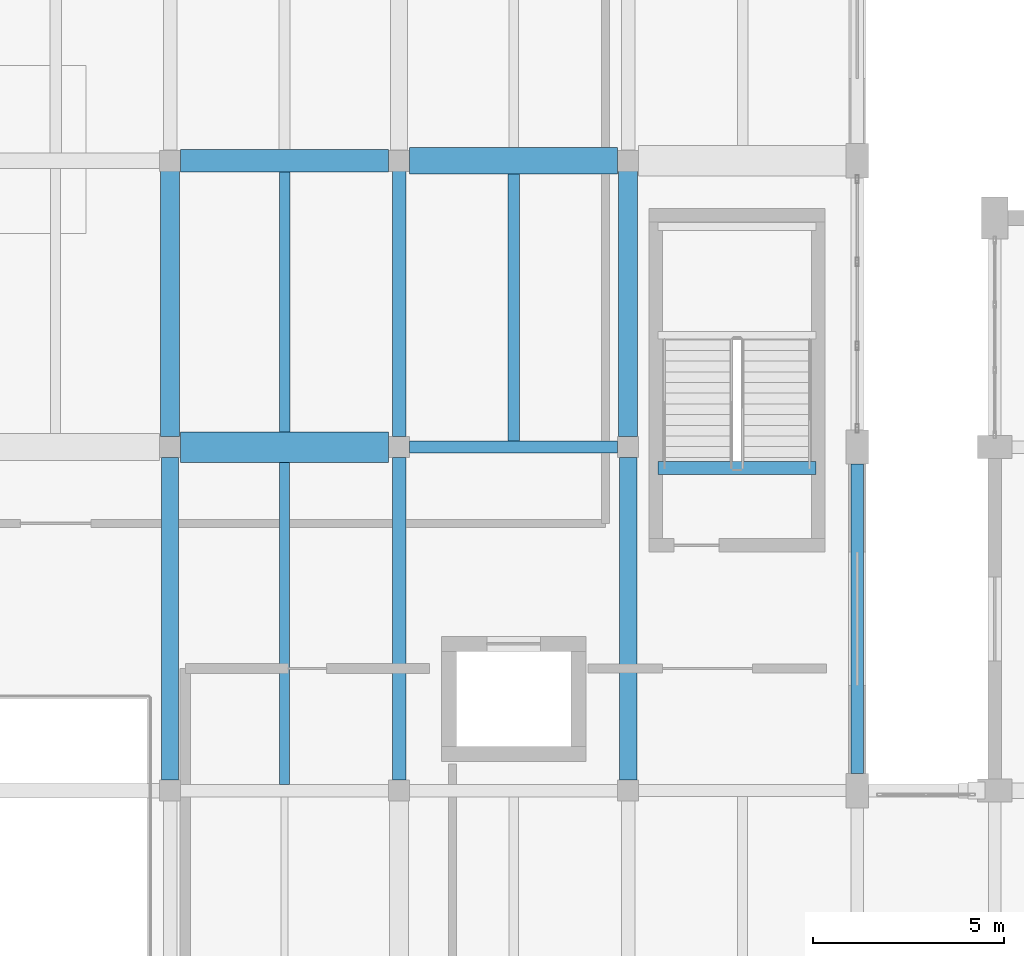
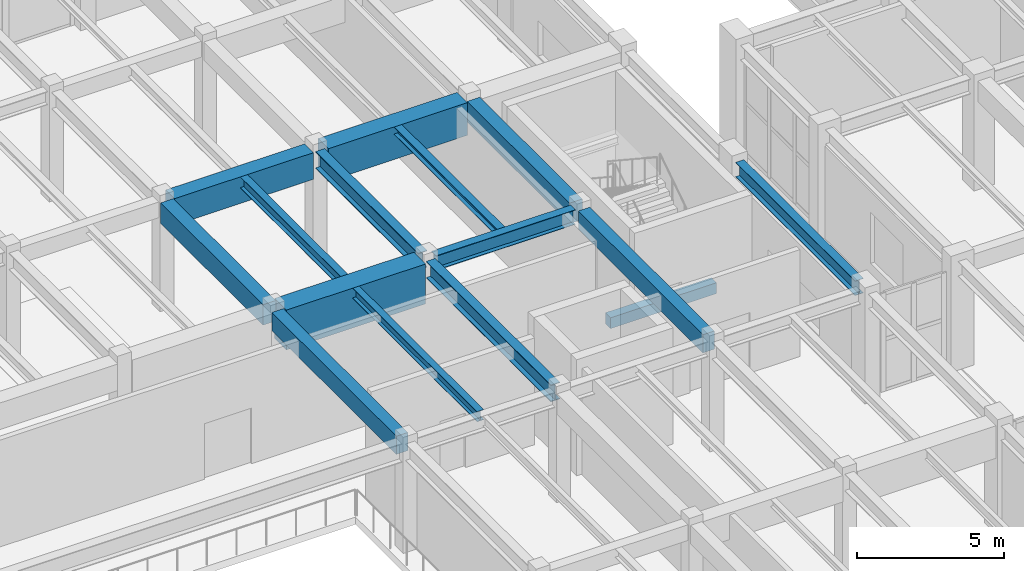
# One storey, part 40 of 96: 15 beams.
"""IFC4 building model written with IfcOpenShell, lengths in metres."""

from ifc_helpers import new_model, si_unit, direction, frame, origin, origin_2d, place, context, subcontext, project, spatial, rectangle, i_section, extrude, material, material_profile, profile_set, type_object, element, save


model = new_model("IFC4")

# Units and contexts
model_context = context("Model", 3, precision=1e-05, world=origin(), true_north=direction((0.0, 1.0)))
body_context = subcontext(model_context, "Body", "Model", "MODEL_VIEW")
ifc_project = project(units=[si_unit("LENGTHUNIT", "METRE"), si_unit("AREAUNIT", "SQUARE_METRE"), si_unit("VOLUMEUNIT", "CUBIC_METRE"), si_unit("PLANEANGLEUNIT", "RADIAN"), si_unit("MASSUNIT", "GRAM", prefix="KILO")], contexts=[model_context])

# Site, building, storey
site_placement = place(None, origin())
site = spatial("IfcSite", under=ifc_project, at=site_placement, CompositionType="ELEMENT")
building_placement = place(site_placement, origin())
building = spatial("IfcBuilding", under=site, at=building_placement, Name="Vaelkrest Opera House", CompositionType="ELEMENT")
storey_placement = place(building_placement, frame((0.0, 0.0, 5.39990234375)))
storey = spatial("IfcBuildingStorey", under=building, at=storey_placement, Name="L01", CompositionType="ELEMENT", Elevation=5.39990234375)

# Beams
ifc_material_1 = material(Name="Concrete C50/60", Category="concrete")
ifc_material_profile_1 = material_profile(ifc_material_1, rectangle(XDim=0.449951171875, YDim=0.75, at=origin_2d()), Name="RCB450X750")
ifc_profile_set_1 = profile_set([ifc_material_profile_1], Name="Concrete C50/60")
beam_type_1 = type_object("IfcBeamType", Name="B02", PredefinedType="BEAM", material=ifc_profile_set_1)
for number, where, z_axis, x_axis, name in (
    (1, (-51.60009765625, 1.47509765625, 4.125), (0.0, 1.0, 0.0), (-1.0, 0.0, 0.0), "Beam BM-V3-L01-1571"),
    (2, (-39.60009765625, 1.47509765625, 4.125), (0.0, 1.0, 0.0), (-1.0, 0.0, 0.0), "Beam BM-V3-L01-1583"),
):
    element("IfcBeam", number, at=place(storey_placement, frame(where, z_axis=z_axis, x_axis=x_axis)), inside=storey, type_object=beam_type_1, Name=name, PredefinedType="BEAM", context=body_context, shape_type="SweptSolid", body=[
        extrude(rectangle(XDim=0.449951171875, YDim=0.75, at=origin_2d()), origin(), (0.0, 0.0, 1.0), 8.449951171875),
    ])
ifc_material_profile_2 = material_profile(ifc_material_1, rectangle(XDim=0.5, YDim=0.85009765625, at=origin_2d()), Name="RCB500X850")
ifc_profile_set_2 = profile_set([ifc_material_profile_2], Name="Concrete C50/60")
beam_type_2 = type_object("IfcBeamType", Name="B03", PredefinedType="BEAM", material=ifc_profile_set_2)
for number, where, z_axis, x_axis, name in (
    (3, (-51.60009765625, 10.47509765625, 4.0751953125), (0.0, 1.0, 0.0), (-1.0, 0.0, 0.0), "Beam BM-V3-L01-1572"),
    (4, (-39.60009765625, 10.47509765625, 4.0751953125), (0.0, 1.0, 0.0), (-1.0, 0.0, 0.0), "Beam BM-V3-L01-1584"),
):
    element("IfcBeam", number, at=place(storey_placement, frame(where, z_axis=z_axis, x_axis=x_axis)), inside=storey, type_object=beam_type_2, Name=name, PredefinedType="BEAM", context=body_context, shape_type="SweptSolid", body=[
        extrude(rectangle(XDim=0.5, YDim=0.85009765625, at=origin_2d()), origin(), (0.0, 0.0, 1.0), 6.949951171875),
    ])
ifc_material_profile_3 = material_profile(ifc_material_1, rectangle(XDim=0.60009765625, YDim=1.10009765625, at=origin_2d()), Name="RCB600X1100")
ifc_profile_set_3 = profile_set([ifc_material_profile_3], Name="Concrete C50/60")
beam_type_3 = type_object("IfcBeamType", Name="B05", PredefinedType="BEAM", material=ifc_profile_set_3)
beam_1_placement = place(storey_placement, frame((-51.324951171875, 17.699951171875, 3.9501953125), z_axis=(1.0, 0.0, 0.0), x_axis=(0.0, 1.0, 0.0)))
element("IfcBeam", 5, at=beam_1_placement, inside=storey, type_object=beam_type_3, Name="Beam BM-V3-L01-1534", PredefinedType="BEAM", context=body_context, shape_type="SweptSolid", body=[
    extrude(rectangle(XDim=0.60009765625, YDim=1.10009765625, at=origin_2d()), origin(), (0.0, 0.0, 1.0), 5.449951171875),
])
ifc_material_profile_4 = material_profile(ifc_material_1, rectangle(XDim=0.699951171875, YDim=1.35009765625, at=origin_2d()), Name="RCB700X1350")
ifc_profile_set_4 = profile_set([ifc_material_profile_4], Name="Concrete C50/60")
beam_type_4 = type_object("IfcBeamType", Name="B06", PredefinedType="BEAM", material=ifc_profile_set_4)
beam_2_placement = place(storey_placement, frame((-45.324951171875, 17.699951171875, 3.8251953125), z_axis=(1.0, 0.0, 0.0), x_axis=(0.0, 1.0, 0.0)))
element("IfcBeam", 6, at=beam_2_placement, inside=storey, type_object=beam_type_4, Name="Beam BM-V3-L01-1535", PredefinedType="BEAM", context=body_context, shape_type="SweptSolid", body=[
    extrude(rectangle(XDim=0.699951171875, YDim=1.35009765625, at=origin_2d()), origin(), (0.0, 0.0, 1.0), 5.449951171875),
])
ifc_material_profile_5 = material_profile(ifc_material_1, rectangle(XDim=0.800048828125, YDim=1.64990234375, at=origin_2d()), Name="RCB800X1650")
ifc_profile_set_5 = profile_set([ifc_material_profile_5], Name="Concrete C50/60")
beam_type_5 = type_object("IfcBeamType", Name="B07", PredefinedType="BEAM", material=ifc_profile_set_5)
beam_3_placement = place(storey_placement, frame((-51.324951171875, 10.199951171875, 3.675048828125), z_axis=(1.0, 0.0, 0.0), x_axis=(0.0, 1.0, 0.0)))
element("IfcBeam", 7, at=beam_3_placement, inside=storey, type_object=beam_type_5, Name="Beam BM-V3-L01-1528", PredefinedType="BEAM", context=body_context, shape_type="SweptSolid", body=[
    extrude(rectangle(XDim=0.800048828125, YDim=1.64990234375, at=origin_2d()), origin(), (0.0, 0.0, 1.0), 5.449951171875),
])
ifc_material_2 = material(Name="Steel A992 Gr50", Category="steel")
ifc_material_profile_6 = material_profile(ifc_material_2, i_section(OverallWidth=0.323974609375, OverallDepth=0.611083984375, WebThickness=0.0126953125, FlangeThickness=0.01904296875, at=origin_2d()), Name="W24X104")
ifc_profile_set_6 = profile_set([ifc_material_profile_6], Name="Steel A992 Gr50")
beam_type_6 = type_object("IfcBeamType", Name="B08", PredefinedType="BEAM", material=ifc_profile_set_6)
beam_4_placement = place(storey_placement, frame((-45.324951171875, 10.199951171875, 4.194580078125), z_axis=(1.0, 0.0, 0.0), x_axis=(0.0, 1.0, 0.0)))
element("IfcBeam", 8, at=beam_4_placement, inside=storey, type_object=beam_type_6, Name="Beam BM-V3-L01-1529", PredefinedType="BEAM", context=body_context, shape_type="SweptSolid", body=[
    extrude(i_section(OverallWidth=0.323974609375, OverallDepth=0.611083984375, WebThickness=0.0126953125, FlangeThickness=0.01904296875, at=origin_2d()), origin(), (0.0, 0.0, 1.0), 5.449951171875),
])
ifc_material_profile_7 = material_profile(ifc_material_2, i_section(OverallWidth=0.35498046875, OverallDepth=0.695068359375, WebThickness=0.015380859375, FlangeThickness=0.02490234375, at=origin_2d()), Name="W27X146")
ifc_profile_set_7 = profile_set([ifc_material_profile_7], Name="Steel A992 Gr50")
beam_type_7 = type_object("IfcBeamType", Name="B10", PredefinedType="BEAM", material=ifc_profile_set_7)
beam_5_placement = place(storey_placement, frame((-45.60009765625, 1.47509765625, 4.152587890625), z_axis=(0.0, 1.0, 0.0), x_axis=(-1.0, 0.0, 0.0)))
element("IfcBeam", 9, at=beam_5_placement, inside=storey, type_object=beam_type_7, Name="Beam BM-V3-L01-1577", PredefinedType="BEAM", context=body_context, shape_type="SweptSolid", body=[
    extrude(i_section(OverallWidth=0.35498046875, OverallDepth=0.695068359375, WebThickness=0.015380859375, FlangeThickness=0.02490234375, at=origin_2d()), origin(), (0.0, 0.0, 1.0), 8.449951171875),
])
ifc_material_profile_8 = material_profile(ifc_material_2, i_section(OverallWidth=0.35791015625, OverallDepth=0.7060546875, WebThickness=0.018310546875, FlangeThickness=0.0302734375, at=origin_2d()), Name="W27X178")
ifc_profile_set_8 = profile_set([ifc_material_profile_8], Name="Steel A992 Gr50")
beam_type_8 = type_object("IfcBeamType", Name="B14", PredefinedType="BEAM", material=ifc_profile_set_8)
beam_6_placement = place(storey_placement, frame((-45.60009765625, 10.47509765625, 4.147216796875), z_axis=(0.0, 1.0, 0.0), x_axis=(-1.0, 0.0, 0.0)))
element("IfcBeam", 10, at=beam_6_placement, inside=storey, type_object=beam_type_8, Name="Beam BM-V3-L01-1578", PredefinedType="BEAM", context=body_context, shape_type="SweptSolid", body=[
    extrude(i_section(OverallWidth=0.35791015625, OverallDepth=0.7060546875, WebThickness=0.018310546875, FlangeThickness=0.0302734375, at=origin_2d()), origin(), (0.0, 0.0, 1.0), 6.949951171875),
])
ifc_material_profile_9 = material_profile(ifc_material_2, i_section(OverallWidth=0.304931640625, OverallDepth=0.30810546875, WebThickness=0.010009765625, FlangeThickness=0.015380859375, at=origin_2d()), Name="W12X65")
ifc_profile_set_9 = profile_set([ifc_material_profile_9], Name="Steel A992 Gr50")
beam_type_9 = type_object("IfcBeamType", Name="J04", PredefinedType="JOIST", material=ifc_profile_set_9)
beam_7_placement = place(storey_placement, frame((-42.60009765625, 10.362060546875, 4.34619140625), z_axis=(0.0, 1.0, 0.0), x_axis=(-1.0, 0.0, 0.0)))
element("IfcBeam", 11, at=beam_7_placement, inside=storey, type_object=beam_type_9, Name="Floor joist JST-V3-L01-1614", PredefinedType="JOIST", context=body_context, shape_type="SweptSolid", body=[
    extrude(i_section(OverallWidth=0.304931640625, OverallDepth=0.30810546875, WebThickness=0.010009765625, FlangeThickness=0.015380859375, at=origin_2d()), origin(), (0.0, 0.0, 1.0), 6.988037109375),
])
ifc_material_profile_10 = material_profile(ifc_material_2, i_section(OverallWidth=0.261962890625, OverallDepth=0.4189453125, WebThickness=0.01171875, FlangeThickness=0.019287109375, at=origin_2d()), Name="W16X77")
ifc_profile_set_10 = profile_set([ifc_material_profile_10], Name="Steel A992 Gr50")
beam_type_10 = type_object("IfcBeamType", Name="J08", PredefinedType="JOIST", material=ifc_profile_set_10)
beam_8_placement = place(storey_placement, frame((-48.60009765625, 1.364013671875, 4.29052734375), z_axis=(0.0, 1.0, 0.0), x_axis=(-1.0, 0.0, 0.0)))
element("IfcBeam", 12, at=beam_8_placement, inside=storey, type_object=beam_type_10, Name="Floor joist JST-V3-L01-1608", PredefinedType="JOIST", context=body_context, shape_type="SweptSolid", body=[
    extrude(i_section(OverallWidth=0.261962890625, OverallDepth=0.4189453125, WebThickness=0.01171875, FlangeThickness=0.019287109375, at=origin_2d()), origin(), (0.0, 0.0, 1.0), 8.43603515625),
])
ifc_material_profile_11 = material_profile(ifc_material_2, i_section(OverallWidth=0.280029296875, OverallDepth=0.462890625, WebThickness=0.0107421875, FlangeThickness=0.017333984375, at=origin_2d()), Name="W18X76")
ifc_profile_set_11 = profile_set([ifc_material_profile_11], Name="Steel A992 Gr50")
beam_type_11 = type_object("IfcBeamType", Name="J09", PredefinedType="JOIST", material=ifc_profile_set_11)
beam_9_placement = place(storey_placement, frame((-48.60009765625, 10.60009765625, 4.2685546875), z_axis=(0.0, 1.0, 0.0), x_axis=(-1.0, 0.0, 0.0)))
element("IfcBeam", 13, at=beam_9_placement, inside=storey, type_object=beam_type_11, Name="Floor joist JST-V3-L01-1609", PredefinedType="JOIST", context=body_context, shape_type="SweptSolid", body=[
    extrude(i_section(OverallWidth=0.280029296875, OverallDepth=0.462890625, WebThickness=0.0107421875, FlangeThickness=0.017333984375, at=origin_2d()), origin(), (0.0, 0.0, 1.0), 6.7998046875),
])
ifc_material_profile_12 = material_profile(ifc_material_1, rectangle(XDim=0.35009765625, YDim=0.449951171875, at=origin_2d()), Name="RCB350X450")
ifc_profile_set_12 = profile_set([ifc_material_profile_12], Name="Concrete C50/60")
beam_type_12 = type_object("IfcBeamType", Name="LN01", PredefinedType="LINTEL", material=ifc_profile_set_12)
beam_10_placement = place(storey_placement, frame((-38.820068359375, 9.64990234375, -0.224853515625), z_axis=(1.0, 0.0, 0.0), x_axis=(0.0, 1.0, 0.0)))
element("IfcBeam", 14, at=beam_10_placement, inside=storey, type_object=beam_type_12, Name="Stairwell trimmer beam ST08 L01", PredefinedType="LINTEL", context=body_context, shape_type="SweptSolid", body=[
    extrude(rectangle(XDim=0.35009765625, YDim=0.449951171875, at=origin_2d()), origin(), (0.0, 0.0, 1.0), 4.14013671875),
])
ifc_material_profile_13 = material_profile(ifc_material_2, i_section(OverallWidth=0.323974609375, OverallDepth=0.611083984375, WebThickness=0.0126953125, FlangeThickness=0.01904296875, at=origin_2d()), Name="W24X104")
ifc_profile_set_13 = profile_set([ifc_material_profile_13], Name="Steel A992 Gr50")
beam_type_13 = type_object("IfcBeamType", Name="SP01", PredefinedType="SPANDREL", material=ifc_profile_set_13)
beam_11_placement = place(storey_placement, frame((-33.60009765625, 1.64990234375, 4.194580078125), z_axis=(0.0, 1.0, 0.0), x_axis=(-1.0, 0.0, 0.0)))
element("IfcBeam", 15, at=beam_11_placement, inside=storey, type_object=beam_type_13, Name="Beam BM-V3-L01-1589", PredefinedType="SPANDREL", context=body_context, shape_type="SweptSolid", body=[
    extrude(i_section(OverallWidth=0.323974609375, OverallDepth=0.611083984375, WebThickness=0.0126953125, FlangeThickness=0.01904296875, at=origin_2d()), origin(), (0.0, 0.0, 1.0), 8.10009765625),
])

save(model, "model.ifc")
